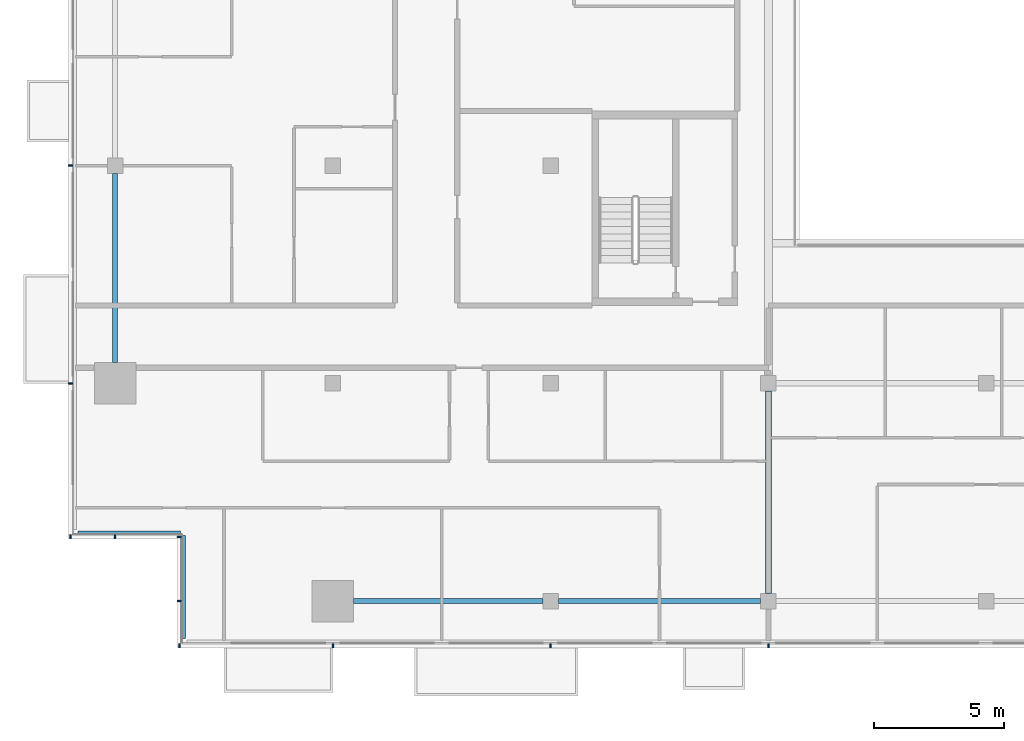
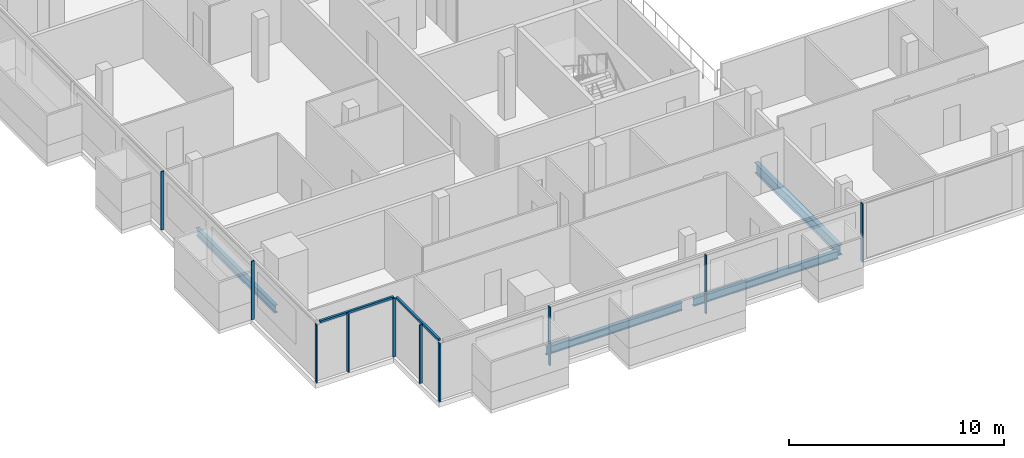
# One storey, part 2 of 30: 12 members, 4 beams, 4 elements without a shape of their own.
"""IFC4 building model written with IfcOpenShell, lengths in metres."""

from ifc_helpers import new_model, si_unit, direction, frame, origin, origin_2d, place, context, subcontext, project, spatial, rectangle, i_section, extrude, material, material_profile, profile_set, type_object, element, aggregate, save


model = new_model("IFC4")

# Units and contexts
model_context = context("Model", 3, precision=1e-05, world=origin(), true_north=direction((0.0, 1.0)))
body_context = subcontext(model_context, "Body", "Model", "MODEL_VIEW")
ifc_project = project(units=[si_unit("LENGTHUNIT", "METRE"), si_unit("AREAUNIT", "SQUARE_METRE"), si_unit("VOLUMEUNIT", "CUBIC_METRE"), si_unit("PLANEANGLEUNIT", "RADIAN"), si_unit("MASSUNIT", "GRAM", prefix="KILO")], contexts=[model_context])

# Site, building, storey
site_placement = place(None, origin())
site = spatial("IfcSite", under=ifc_project, at=site_placement, CompositionType="ELEMENT")
building_placement = place(site_placement, origin())
building = spatial("IfcBuilding", under=site, at=building_placement, Name="Saffron Gate Tower", CompositionType="ELEMENT")
storey_placement = place(building_placement, frame((0.0, 0.0, 216.300048828125)))
storey = spatial("IfcBuildingStorey", under=building, at=storey_placement, Name="L52", CompositionType="ELEMENT", Elevation=216.300048828125)

# Beams
ifc_material_1 = material(Name="Structural steel S355", Category="steel")
ifc_material_profile_1 = material_profile(ifc_material_1, i_section(OverallWidth=0.219970703125, OverallDepth=0.60009765625, WebThickness=0.011962890625, FlangeThickness=0.01904296875, FilletRadius=0.02392578125, at=origin_2d()))
ifc_profile_set_1 = profile_set([ifc_material_profile_1], Name="Structural steel S355")
beam_type_1 = type_object("IfcBeamType", Name="B15 IPE 600", PredefinedType="BEAM", material=ifc_profile_set_1)
beam_1_placement = place(storey_placement, frame((75.0, 32.10009765625, -0.580078125), z_axis=(0.0, 1.0, 0.0), x_axis=(-1.0, 0.0, 0.0)))
element("IfcBeam", 1, at=beam_1_placement, inside=storey, type_object=beam_type_1, Name="B15 FLOOR GIRDER", PredefinedType="BEAM", context=body_context, shape_type="SweptSolid", body=[
    extrude(i_section(OverallWidth=0.219970703125, OverallDepth=0.60009765625, WebThickness=0.011962890625, FlangeThickness=0.01904296875, FilletRadius=0.02392578125, at=origin_2d()), origin(), (0.0, 0.0, 1.0), 7.7998046875),
])
ifc_material_profile_2 = material_profile(ifc_material_1, i_section(OverallWidth=0.18994140625, OverallDepth=0.449951171875, WebThickness=0.009521484375, FlangeThickness=0.0146484375, FilletRadius=0.02099609375, at=origin_2d()))
ifc_profile_set_2 = profile_set([ifc_material_profile_2], Name="Structural steel S355")
beam_type_2 = type_object("IfcBeamType", Name="B7 IPE 450", PredefinedType="SPANDREL", material=ifc_profile_set_2)
for number, where, z_axis, x_axis, name in (
    (2, (49.800048828125, 41.0, -0.505126953125), (0.0, 1.0, 0.0), (-1.0, 0.0, 0.0), "B7 SPANDREL BEAM"),
    (3, (59.0, 31.800048828125, -0.505126953125), (1.0, 0.0, 0.0), (0.0, 1.0, 0.0), "B7 SPANDREL BEAM"),
):
    element("IfcBeam", number, at=place(storey_placement, frame(where, z_axis=z_axis, x_axis=x_axis)), inside=storey, type_object=beam_type_2, Name=name, PredefinedType="SPANDREL", context=body_context, shape_type="SweptSolid", body=[
        extrude(i_section(OverallWidth=0.18994140625, OverallDepth=0.449951171875, WebThickness=0.009521484375, FlangeThickness=0.0146484375, FilletRadius=0.02099609375, at=origin_2d()), origin(), (0.0, 0.0, 1.0), 7.300048828125),
    ])
beam_2_placement = place(storey_placement, frame((66.89990234375, 31.800048828125, -0.505126953125), z_axis=(1.0, 0.0, 0.0), x_axis=(0.0, 1.0, 0.0)))
element("IfcBeam", 4, at=beam_2_placement, inside=storey, type_object=beam_type_2, Name="B7 SPANDREL BEAM", PredefinedType="SPANDREL", context=body_context, shape_type="SweptSolid", body=[
    extrude(i_section(OverallWidth=0.18994140625, OverallDepth=0.449951171875, WebThickness=0.009521484375, FlangeThickness=0.0146484375, FilletRadius=0.02099609375, at=origin_2d()), origin(), (0.0, 0.0, 1.0), 7.800048828125),
])

# Curtain wall, members
ifc_material_2 = material(Name="Aluminium, bronze anodised", Category="aluminium")
curtain_wall_type_1 = type_object("IfcCurtainWallType", Name="CWS1 curtain wall front facade", PredefinedType="NOTDEFINED", material=ifc_material_2)
curtain_wall_1_placement = place(storey_placement, origin())
curtain_wall_1 = element("IfcCurtainWall", 5, at=curtain_wall_1_placement, inside=storey, type_object=curtain_wall_type_1, Name="CWS1 run 1", PredefinedType="NOTDEFINED")
ifc_material_profile_3 = material_profile(ifc_material_2, rectangle(XDim=0.159912109375, YDim=0.06005859375, at=origin_2d()))
ifc_profile_set_3 = profile_set([ifc_material_profile_3], Name="Aluminium, bronze anodised")
member_type_1 = type_object("IfcMemberType", Name="CWS1 mullion 60x160", PredefinedType="MULLION", material=ifc_profile_set_3)
member_1_placement = place(storey_placement, frame((52.280029296875, 30.080078125, 0.0), z_axis=(0.0, 0.0, 1.0), x_axis=(0.0, 1.0, 0.0)))
member_1 = element("IfcMember", 6, at=member_1_placement, type_object=member_type_1, Name="CWS1 mullion 1", PredefinedType="MULLION", context=body_context, shape_type="SweptSolid", body=[
    extrude(rectangle(XDim=0.159912109375, YDim=0.06005859375, at=origin_2d()), origin(), (0.0, 0.0, 1.0), 3.320068359375),
])
member_2_placement = place(storey_placement, frame((58.199951171875, 30.080078125, 0.0), z_axis=(0.0, 0.0, 1.0), x_axis=(0.0, 1.0, 0.0)))
member_2 = element("IfcMember", 7, at=member_2_placement, type_object=member_type_1, Name="CWS1 mullion 2", PredefinedType="MULLION", context=body_context, shape_type="SweptSolid", body=[
    extrude(rectangle(XDim=0.159912109375, YDim=0.06005859375, at=origin_2d()), origin(), (0.0, 0.0, 1.0), 3.320068359375),
])
member_3_placement = place(storey_placement, frame((66.60009765625, 30.080078125, 0.0), z_axis=(0.0, 0.0, 1.0), x_axis=(0.0, 1.0, 0.0)))
member_3 = element("IfcMember", 8, at=member_3_placement, type_object=member_type_1, Name="CWS1 mullion 3", PredefinedType="MULLION", context=body_context, shape_type="SweptSolid", body=[
    extrude(rectangle(XDim=0.159912109375, YDim=0.06005859375, at=origin_2d()), origin(), (0.0, 0.0, 1.0), 3.320068359375),
])
member_4_placement = place(storey_placement, frame((75.0, 30.080078125, 0.0), z_axis=(0.0, 0.0, 1.0), x_axis=(0.0, 1.0, 0.0)))
member_4 = element("IfcMember", 9, at=member_4_placement, type_object=member_type_1, Name="CWS1 mullion 4", PredefinedType="MULLION", context=body_context, shape_type="SweptSolid", body=[
    extrude(rectangle(XDim=0.159912109375, YDim=0.06005859375, at=origin_2d()), origin(), (0.0, 0.0, 1.0), 3.320068359375),
])
aggregate(curtain_wall_1, [member_1, member_2, member_3, member_4])

curtain_wall_type_2 = type_object("IfcCurtainWallType", Name="CWS2 curtain wall side facades", PredefinedType="NOTDEFINED", material=ifc_material_2)
curtain_wall_2_placement = place(storey_placement, origin())
curtain_wall_2 = element("IfcCurtainWall", 10, at=curtain_wall_2_placement, inside=storey, type_object=curtain_wall_type_2, Name="CWS2 run 10", PredefinedType="NOTDEFINED")
ifc_material_profile_4 = material_profile(ifc_material_2, rectangle(XDim=0.159912109375, YDim=0.06005859375, at=origin_2d()))
ifc_profile_set_4 = profile_set([ifc_material_profile_4], Name="Aluminium, bronze anodised")
member_type_2 = type_object("IfcMemberType", Name="CWS2 mullion 60x160", PredefinedType="MULLION", material=ifc_profile_set_4)
member_5_placement = place(storey_placement, frame((48.080078125, 48.60009765625, 0.0), z_axis=(0.0, 0.0, 1.0), x_axis=(1.0, 0.0, 0.0)))
member_5 = element("IfcMember", 11, at=member_5_placement, type_object=member_type_2, Name="CWS2 mullion 4", PredefinedType="MULLION", context=body_context, shape_type="SweptSolid", body=[
    extrude(rectangle(XDim=0.159912109375, YDim=0.06005859375, at=origin_2d()), origin(), (0.0, 0.0, 1.0), 3.320068359375),
])
member_6_placement = place(storey_placement, frame((48.080078125, 40.199951171875, 0.0), z_axis=(0.0, 0.0, 1.0), x_axis=(1.0, 0.0, 0.0)))
member_6 = element("IfcMember", 12, at=member_6_placement, type_object=member_type_2, Name="CWS2 mullion 5", PredefinedType="MULLION", context=body_context, shape_type="SweptSolid", body=[
    extrude(rectangle(XDim=0.159912109375, YDim=0.06005859375, at=origin_2d()), origin(), (0.0, 0.0, 1.0), 3.320068359375),
])
aggregate(curtain_wall_2, [member_5, member_6])

# Curtain wall, member
curtain_wall_type_3 = type_object("IfcCurtainWallType", Name="CWS4 curtain wall corner returns", PredefinedType="NOTDEFINED", material=ifc_material_2)
curtain_wall_3_placement = place(storey_placement, origin())
curtain_wall_3 = element("IfcCurtainWall", 13, at=curtain_wall_3_placement, inside=storey, type_object=curtain_wall_type_3, Name="CWS4 run 11", PredefinedType="NOTDEFINED")
ifc_material_profile_5 = material_profile(ifc_material_2, rectangle(XDim=0.1201171875, YDim=0.1201171875, at=origin_2d()))
ifc_profile_set_5 = profile_set([ifc_material_profile_5], Name="Aluminium, bronze anodised")
member_type_3 = type_object("IfcMemberType", Name="CWS4 head transom", PredefinedType="USERDEFINED", material=ifc_profile_set_5)
member_7_placement = place(storey_placement, frame((48.367919921875, 34.447998046875, 3.260009765625), z_axis=(1.0, 0.0, 0.0), x_axis=(0.0, 1.0, 0.0)))
member_7 = element("IfcMember", 14, at=member_7_placement, type_object=member_type_3, Name="CWS4 head transom", ObjectType="TRANSOM", PredefinedType="USERDEFINED", context=body_context, shape_type="SweptSolid", body=[
    extrude(rectangle(XDim=0.1201171875, YDim=0.1201171875, at=origin_2d()), origin(), (0.0, 0.0, 1.0), 3.9599609375),
])

curtain_wall_4_placement = place(storey_placement, origin())
curtain_wall_4 = element("IfcCurtainWall", 15, at=curtain_wall_4_placement, inside=storey, type_object=curtain_wall_type_3, Name="CWS4 run 12", PredefinedType="NOTDEFINED")
member_8_placement = place(storey_placement, frame((52.447998046875, 34.327880859375, 3.260009765625), z_axis=(0.0, -1.0, 0.0), x_axis=(1.0, 0.0, 0.0)))
member_8 = element("IfcMember", 16, at=member_8_placement, type_object=member_type_3, Name="CWS4 head transom", ObjectType="TRANSOM", PredefinedType="USERDEFINED", context=body_context, shape_type="SweptSolid", body=[
    extrude(rectangle(XDim=0.1201171875, YDim=0.1201171875, at=origin_2d()), origin(), (0.0, 0.0, 1.0), 3.9599609375),
])

# Member
ifc_material_profile_6 = material_profile(ifc_material_2, rectangle(XDim=0.159912109375, YDim=0.06005859375, at=origin_2d()))
ifc_profile_set_6 = profile_set([ifc_material_profile_6], Name="Aluminium, bronze anodised")
member_type_4 = type_object("IfcMemberType", Name="CWS4 mullion 60x160", PredefinedType="MULLION", material=ifc_profile_set_6)
member_9_placement = place(storey_placement, frame((48.080078125, 34.280029296875, 0.0), z_axis=(0.0, 0.0, 1.0), x_axis=(0.0, 1.0, 0.0)))
member_9 = element("IfcMember", 17, at=member_9_placement, type_object=member_type_4, Name="CWS4 mullion 1", PredefinedType="MULLION", context=body_context, shape_type="SweptSolid", body=[
    extrude(rectangle(XDim=0.159912109375, YDim=0.06005859375, at=origin_2d()), origin(), (0.0, 0.0, 1.0), 3.320068359375),
])

member_10_placement = place(storey_placement, frame((49.800048828125, 34.280029296875, 0.0), z_axis=(0.0, 0.0, 1.0), x_axis=(0.0, 1.0, 0.0)))
member_10 = element("IfcMember", 18, at=member_10_placement, type_object=member_type_4, Name="CWS4 mullion 2", PredefinedType="MULLION", context=body_context, shape_type="SweptSolid", body=[
    extrude(rectangle(XDim=0.159912109375, YDim=0.06005859375, at=origin_2d()), origin(), (0.0, 0.0, 1.0), 3.320068359375),
])

aggregate(curtain_wall_3, [member_9, member_10, member_7])

member_11_placement = place(storey_placement, frame((52.280029296875, 34.280029296875, 0.0), z_axis=(0.0, 0.0, 1.0), x_axis=(1.0, 0.0, 0.0)))
member_11 = element("IfcMember", 19, at=member_11_placement, type_object=member_type_4, Name="CWS4 mullion 1", PredefinedType="MULLION", context=body_context, shape_type="SweptSolid", body=[
    extrude(rectangle(XDim=0.159912109375, YDim=0.06005859375, at=origin_2d()), origin(), (0.0, 0.0, 1.0), 3.320068359375),
])

member_12_placement = place(storey_placement, frame((52.280029296875, 31.800048828125, 0.0), z_axis=(0.0, 0.0, 1.0), x_axis=(1.0, 0.0, 0.0)))
member_12 = element("IfcMember", 20, at=member_12_placement, type_object=member_type_4, Name="CWS4 mullion 2", PredefinedType="MULLION", context=body_context, shape_type="SweptSolid", body=[
    extrude(rectangle(XDim=0.159912109375, YDim=0.06005859375, at=origin_2d()), origin(), (0.0, 0.0, 1.0), 3.320068359375),
])

aggregate(curtain_wall_4, [member_11, member_12, member_8])

save(model, "model.ifc")
